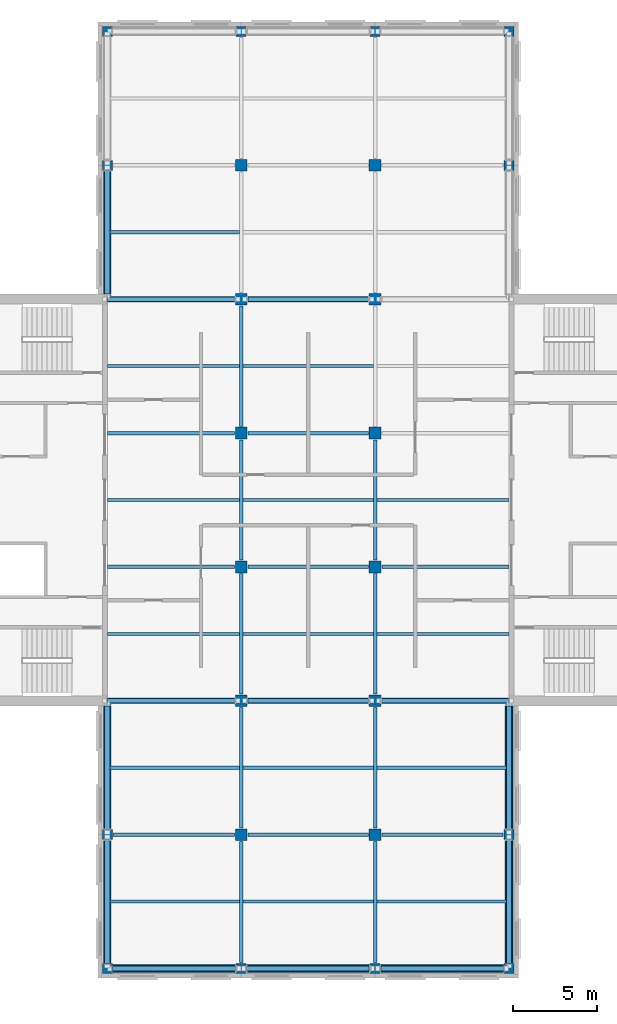
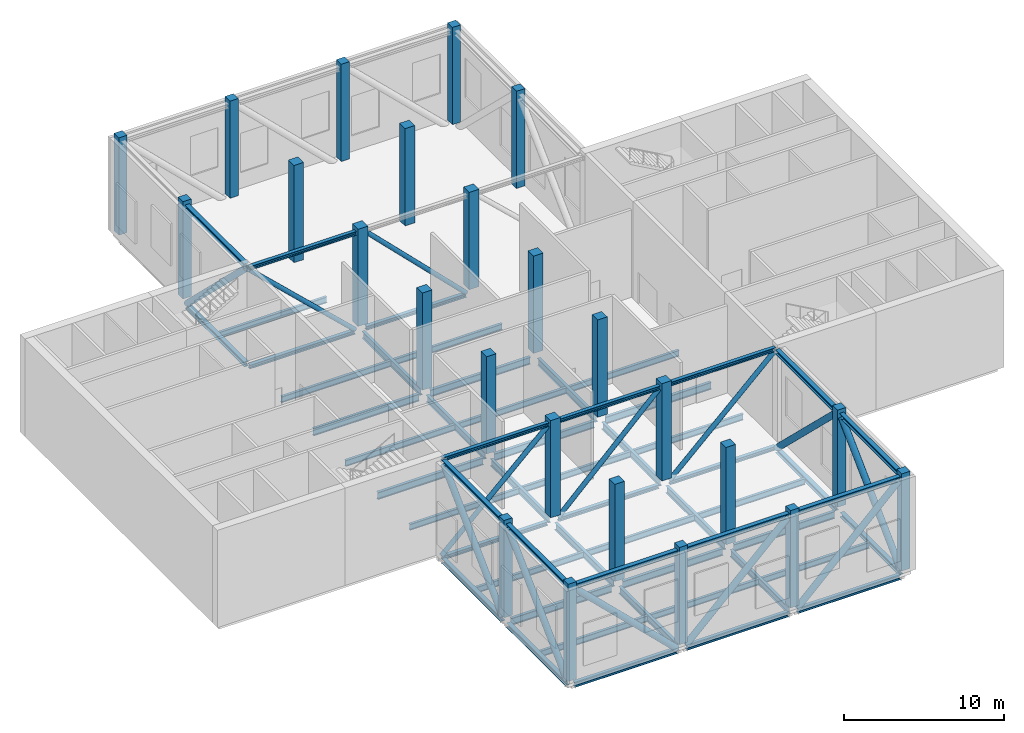
# One storey, part 1 of 10: 38 members, 32 beams, 24 columns.
"""IFC4 building model written with IfcOpenShell, lengths in metres."""

from ifc_helpers import new_model, si_unit, direction, frame, origin, origin_2d, place, context, subcontext, project, spatial, rectangle, hollow_circle, i_section, extrude, material, material_profile, profile_set, type_object, element, save


model = new_model("IFC4")

# Units and contexts
model_context = context("Model", 3, precision=1e-05, world=origin(), true_north=direction((0.0, 1.0)))
body_context = subcontext(model_context, "Body", "Model", "MODEL_VIEW")
ifc_project = project(units=[si_unit("LENGTHUNIT", "METRE"), si_unit("AREAUNIT", "SQUARE_METRE"), si_unit("VOLUMEUNIT", "CUBIC_METRE"), si_unit("PLANEANGLEUNIT", "RADIAN"), si_unit("MASSUNIT", "GRAM", prefix="KILO")], contexts=[model_context])

# Site, building, storey
site_placement = place(None, origin())
site = spatial("IfcSite", under=ifc_project, at=site_placement, CompositionType="ELEMENT")
building_placement = place(site_placement, origin())
building = spatial("IfcBuilding", under=site, at=building_placement, Name="Crosswind Convention Tower", CompositionType="ELEMENT")
storey_placement = place(building_placement, frame((0.0, 0.0, 237.699951171875)))
storey = spatial("IfcBuildingStorey", under=building, at=storey_placement, Name="L51", CompositionType="ELEMENT", Elevation=237.699951171875)

# Columns
ifc_material_1 = material(Name="Concrete C60/75", Category="concrete")
ifc_material_profile_1 = material_profile(ifc_material_1, rectangle(XDim=0.60009765625, YDim=0.60009765625, at=origin_2d()), Name="RC 600X600")
ifc_profile_set_1 = profile_set([ifc_material_profile_1], Name="Concrete C60/75")
column_type_1 = type_object("IfcColumnType", Name="Column RC 600X600", PredefinedType="COLUMN", material=ifc_profile_set_1)
for number, where, z_axis, x_axis, name in (
    (1, (113.0, 72.0, 0.0), (0.0, 0.0, 1.0), (1.0, 0.0, 0.0), "C16 L51 5/C"),
    (2, (113.0, 80.0, 0.0), (0.0, 0.0, 1.0), (1.0, 0.0, 0.0), "C16 L51 5/D"),
    (3, (113.0, 120.0, 0.0), (0.0, 0.0, 1.0), (1.0, 0.0, 0.0), "C16 L51 5/I"),
    (4, (113.0, 128.0, 0.0), (0.0, 0.0, 1.0), (1.0, 0.0, 0.0), "C16 L51 5/J"),
    (5, (121.0, 72.0, 0.0), (0.0, 0.0, 1.0), (1.0, 0.0, 0.0), "C16 L51 6/C"),
    (6, (121.0, 128.0, 0.0), (0.0, 0.0, 1.0), (1.0, 0.0, 0.0), "C16 L51 6/J"),
    (7, (129.0, 72.0, 0.0), (0.0, 0.0, 1.0), (1.0, 0.0, 0.0), "C16 L51 7/C"),
    (8, (129.0, 128.0, 0.0), (0.0, 0.0, 1.0), (1.0, 0.0, 0.0), "C16 L51 7/J"),
    (9, (137.0, 72.0, 0.0), (0.0, 0.0, 1.0), (1.0, 0.0, 0.0), "C16 L51 8/C"),
    (10, (137.0, 80.0, 0.0), (0.0, 0.0, 1.0), (1.0, 0.0, 0.0), "C16 L51 8/D"),
    (11, (137.0, 120.0, 0.0), (0.0, 0.0, 1.0), (1.0, 0.0, 0.0), "C16 L51 8/I"),
    (12, (137.0, 128.0, 0.0), (0.0, 0.0, 1.0), (1.0, 0.0, 0.0), "C16 L51 8/J"),
):
    element("IfcColumn", number, at=place(storey_placement, frame(where, z_axis=z_axis, x_axis=x_axis)), inside=storey, type_object=column_type_1, Name=name, PredefinedType="COLUMN", context=body_context, shape_type="SweptSolid", body=[
        extrude(rectangle(XDim=0.60009765625, YDim=0.60009765625, at=origin_2d()), origin(), (0.0, 0.0, 1.0), 7.400146484375),
    ])
ifc_material_profile_2 = material_profile(ifc_material_1, rectangle(XDim=0.699951171875, YDim=0.699951171875, at=origin_2d()), Name="RC 700X700")
ifc_profile_set_2 = profile_set([ifc_material_profile_2], Name="Concrete C60/75")
column_type_2 = type_object("IfcColumnType", Name="Column RC 700X700", PredefinedType="COLUMN", material=ifc_profile_set_2)
for number, where, z_axis, x_axis, name in (
    (13, (121.0, 80.0, 0.0), (0.0, 0.0, 1.0), (1.0, 0.0, 0.0), "C15 L51 6/D"),
    (14, (121.0, 88.0, 0.0), (0.0, 0.0, 1.0), (1.0, 0.0, 0.0), "C15 L51 6/E"),
    (15, (121.0, 96.0, 0.0), (0.0, 0.0, 1.0), (1.0, 0.0, 0.0), "C15 L51 6/F"),
    (16, (121.0, 104.0, 0.0), (0.0, 0.0, 1.0), (1.0, 0.0, 0.0), "C15 L51 6/G"),
    (17, (121.0, 112.0, 0.0), (0.0, 0.0, 1.0), (1.0, 0.0, 0.0), "C15 L51 6/H"),
    (18, (121.0, 120.0, 0.0), (0.0, 0.0, 1.0), (1.0, 0.0, 0.0), "C15 L51 6/I"),
    (19, (129.0, 80.0, 0.0), (0.0, 0.0, 1.0), (1.0, 0.0, 0.0), "C15 L51 7/D"),
    (20, (129.0, 88.0, 0.0), (0.0, 0.0, 1.0), (1.0, 0.0, 0.0), "C15 L51 7/E"),
    (21, (129.0, 96.0, 0.0), (0.0, 0.0, 1.0), (1.0, 0.0, 0.0), "C15 L51 7/F"),
    (22, (129.0, 104.0, 0.0), (0.0, 0.0, 1.0), (1.0, 0.0, 0.0), "C15 L51 7/G"),
    (23, (129.0, 112.0, 0.0), (0.0, 0.0, 1.0), (1.0, 0.0, 0.0), "C15 L51 7/H"),
    (24, (129.0, 120.0, 0.0), (0.0, 0.0, 1.0), (1.0, 0.0, 0.0), "C15 L51 7/I"),
):
    element("IfcColumn", number, at=place(storey_placement, frame(where, z_axis=z_axis, x_axis=x_axis)), inside=storey, type_object=column_type_2, Name=name, PredefinedType="COLUMN", context=body_context, shape_type="SweptSolid", body=[
        extrude(rectangle(XDim=0.699951171875, YDim=0.699951171875, at=origin_2d()), origin(), (0.0, 0.0, 1.0), 7.400146484375),
    ])

# Beams
ifc_material_2 = material(Name="Steel S355", Category="steel")
ifc_material_profile_3 = material_profile(ifc_material_2, i_section(OverallWidth=0.210693359375, OverallDepth=0.53955078125, WebThickness=0.01171875, FlangeThickness=0.018798828125, FilletRadius=0.0126953125, at=origin_2d()), Name="UB 533x210x109")
ifc_profile_set_3 = profile_set([ifc_material_profile_3], Name="Steel S355")
beam_type_1 = type_object("IfcBeamType", Name="Girder UB 533x210x109", PredefinedType="BEAM", material=ifc_profile_set_3)
for number, where, z_axis, x_axis, name in (
    (25, (113.35009765625, 80.0, -0.669677734375), (1.0, 0.0, 0.0), (0.0, 1.0, 0.0), "B5 L51 girder 1"),
    (26, (121.0, 72.35009765625, -0.669677734375), (0.0, 1.0, 0.0), (-1.0, 0.0, 0.0), "B5 L51 girder 3"),
):
    element("IfcBeam", number, at=place(storey_placement, frame(where, z_axis=z_axis, x_axis=x_axis)), inside=storey, type_object=beam_type_1, Name=name, PredefinedType="BEAM", context=body_context, shape_type="SweptSolid", body=[
        extrude(i_section(OverallWidth=0.210693359375, OverallDepth=0.53955078125, WebThickness=0.01171875, FlangeThickness=0.018798828125, FilletRadius=0.0126953125, at=origin_2d()), origin(), (0.0, 0.0, 1.0), 7.25),
    ])
for number, where, z_axis, x_axis, name in (
    (27, (121.0, 80.39990234375, -0.669677734375), (0.0, 1.0, 0.0), (-1.0, 0.0, 0.0), "B5 L51 girder 4"),
    (28, (121.0, 88.39990234375, -0.669677734375), (0.0, 1.0, 0.0), (-1.0, 0.0, 0.0), "B5 L51 girder 5"),
    (29, (121.0, 96.39990234375, -0.669677734375), (0.0, 1.0, 0.0), (-1.0, 0.0, 0.0), "B5 L51 girder 6"),
    (30, (121.0, 104.39990234375, -0.669677734375), (0.0, 1.0, 0.0), (-1.0, 0.0, 0.0), "B5 L51 girder 7"),
    (31, (121.39990234375, 80.0, -0.669677734375), (1.0, 0.0, 0.0), (0.0, 1.0, 0.0), "B5 L51 girder 10"),
    (32, (121.39990234375, 96.0, -0.669677734375), (1.0, 0.0, 0.0), (0.0, 1.0, 0.0), "B5 L51 girder 11"),
    (33, (121.39990234375, 104.0, -0.669677734375), (1.0, 0.0, 0.0), (0.0, 1.0, 0.0), "B5 L51 girder 12"),
):
    element("IfcBeam", number, at=place(storey_placement, frame(where, z_axis=z_axis, x_axis=x_axis)), inside=storey, type_object=beam_type_1, Name=name, PredefinedType="BEAM", context=body_context, shape_type="SweptSolid", body=[
        extrude(i_section(OverallWidth=0.210693359375, OverallDepth=0.53955078125, WebThickness=0.01171875, FlangeThickness=0.018798828125, FilletRadius=0.0126953125, at=origin_2d()), origin(), (0.0, 0.0, 1.0), 7.2001953125),
    ])
beam_1_placement = place(storey_placement, frame((129.0, 72.35009765625, -0.669677734375), z_axis=(0.0, 1.0, 0.0), x_axis=(-1.0, 0.0, 0.0)))
element("IfcBeam", 34, at=beam_1_placement, inside=storey, type_object=beam_type_1, Name="B5 L51 girder 14", PredefinedType="BEAM", context=body_context, shape_type="SweptSolid", body=[
    extrude(i_section(OverallWidth=0.210693359375, OverallDepth=0.53955078125, WebThickness=0.01171875, FlangeThickness=0.018798828125, FilletRadius=0.0126953125, at=origin_2d()), origin(), (0.0, 0.0, 1.0), 7.25),
])
for number, where, z_axis, x_axis, name in (
    (35, (129.0, 80.39990234375, -0.669677734375), (0.0, 1.0, 0.0), (-1.0, 0.0, 0.0), "B5 L51 girder 15"),
    (36, (129.0, 88.39990234375, -0.669677734375), (0.0, 1.0, 0.0), (-1.0, 0.0, 0.0), "B5 L51 girder 16"),
    (37, (129.0, 96.39990234375, -0.669677734375), (0.0, 1.0, 0.0), (-1.0, 0.0, 0.0), "B5 L51 girder 17"),
):
    element("IfcBeam", number, at=place(storey_placement, frame(where, z_axis=z_axis, x_axis=x_axis)), inside=storey, type_object=beam_type_1, Name=name, PredefinedType="BEAM", context=body_context, shape_type="SweptSolid", body=[
        extrude(i_section(OverallWidth=0.210693359375, OverallDepth=0.53955078125, WebThickness=0.01171875, FlangeThickness=0.018798828125, FilletRadius=0.0126953125, at=origin_2d()), origin(), (0.0, 0.0, 1.0), 7.2001953125),
    ])
beam_2_placement = place(storey_placement, frame((129.39990234375, 80.0, -0.669677734375), z_axis=(1.0, 0.0, 0.0), x_axis=(0.0, 1.0, 0.0)))
element("IfcBeam", 38, at=beam_2_placement, inside=storey, type_object=beam_type_1, Name="B5 L51 girder 21", PredefinedType="BEAM", context=body_context, shape_type="SweptSolid", body=[
    extrude(i_section(OverallWidth=0.210693359375, OverallDepth=0.53955078125, WebThickness=0.01171875, FlangeThickness=0.018798828125, FilletRadius=0.0126953125, at=origin_2d()), origin(), (0.0, 0.0, 1.0), 7.25),
])
ifc_material_profile_4 = material_profile(ifc_material_2, i_section(OverallWidth=0.2119140625, OverallDepth=0.544677734375, WebThickness=0.0126953125, FlangeThickness=0.021240234375, FilletRadius=0.0126953125, at=origin_2d()), Name="UB 533x210x122")
ifc_profile_set_4 = profile_set([ifc_material_profile_4], Name="Steel S355")
beam_type_2 = type_object("IfcBeamType", Name="Girder at core wall UB 533x210x122", PredefinedType="BEAM", material=ifc_profile_set_4)
for number, where, z_axis, x_axis, name in (
    (39, (113.0, 96.0, -0.67236328125), (1.0, 0.0, 0.0), (0.0, 1.0, 0.0), "B26 L51 girder at core wall 1"),
    (40, (113.0, 104.0, -0.67236328125), (1.0, 0.0, 0.0), (0.0, 1.0, 0.0), "B26 L51 girder at core wall 2"),
    (41, (129.39990234375, 96.0, -0.67236328125), (1.0, 0.0, 0.0), (0.0, 1.0, 0.0), "B26 L51 girder at core wall 3"),
):
    element("IfcBeam", number, at=place(storey_placement, frame(where, z_axis=z_axis, x_axis=x_axis)), inside=storey, type_object=beam_type_2, Name=name, PredefinedType="BEAM", context=body_context, shape_type="SweptSolid", body=[
        extrude(i_section(OverallWidth=0.2119140625, OverallDepth=0.544677734375, WebThickness=0.0126953125, FlangeThickness=0.021240234375, FilletRadius=0.0126953125, at=origin_2d()), origin(), (0.0, 0.0, 1.0), 7.60009765625),
    ])
ifc_material_profile_5 = material_profile(ifc_material_2, i_section(OverallWidth=0.1904296875, OverallDepth=0.457275390625, WebThickness=0.009033203125, FlangeThickness=0.014404296875, FilletRadius=0.01025390625, at=origin_2d()), Name="UB 457x191x75")
ifc_profile_set_5 = profile_set([ifc_material_profile_5], Name="Steel S355")
beam_type_3 = type_object("IfcBeamType", Name="Secondary beam UB 457x191x75", PredefinedType="JOIST", material=ifc_profile_set_5)
for number, where, z_axis, x_axis, name in (
    (42, (113.0, 92.0, -0.628662109375), (1.0, 0.0, 0.0), (0.0, 1.0, 0.0), "B12 L51 secondary beam 1"),
    (43, (113.0, 100.0, -0.628662109375), (1.0, 0.0, 0.0), (0.0, 1.0, 0.0), "B12 L51 secondary beam 2"),
    (44, (113.0, 108.0, -0.628662109375), (1.0, 0.0, 0.0), (0.0, 1.0, 0.0), "B12 L51 secondary beam 3"),
):
    element("IfcBeam", number, at=place(storey_placement, frame(where, z_axis=z_axis, x_axis=x_axis)), inside=storey, type_object=beam_type_3, Name=name, PredefinedType="JOIST", context=body_context, shape_type="SweptSolid", body=[
        extrude(i_section(OverallWidth=0.1904296875, OverallDepth=0.457275390625, WebThickness=0.009033203125, FlangeThickness=0.014404296875, FilletRadius=0.01025390625, at=origin_2d()), origin(), (0.0, 0.0, 1.0), 7.89453125),
    ])
for number, where, z_axis, x_axis, name in (
    (45, (113.156982421875, 76.0, -0.628662109375), (1.0, 0.0, 0.0), (0.0, 1.0, 0.0), "B12 L51 secondary beam 4"),
    (46, (113.156982421875, 84.0, -0.628662109375), (1.0, 0.0, 0.0), (0.0, 1.0, 0.0), "B12 L51 secondary beam 5"),
    (47, (113.156982421875, 116.0, -0.628662109375), (1.0, 0.0, 0.0), (0.0, 1.0, 0.0), "B12 L51 secondary beam 6"),
):
    element("IfcBeam", number, at=place(storey_placement, frame(where, z_axis=z_axis, x_axis=x_axis)), inside=storey, type_object=beam_type_3, Name=name, PredefinedType="JOIST", context=body_context, shape_type="SweptSolid", body=[
        extrude(i_section(OverallWidth=0.1904296875, OverallDepth=0.457275390625, WebThickness=0.009033203125, FlangeThickness=0.014404296875, FilletRadius=0.01025390625, at=origin_2d()), origin(), (0.0, 0.0, 1.0), 7.737548828125),
    ])
for number, where, z_axis, x_axis, name in (
    (48, (121.10546875, 76.0, -0.628662109375), (1.0, 0.0, 0.0), (0.0, 1.0, 0.0), "B12 L51 secondary beam 8"),
    (49, (121.10546875, 84.0, -0.628662109375), (1.0, 0.0, 0.0), (0.0, 1.0, 0.0), "B12 L51 secondary beam 9"),
    (50, (121.10546875, 92.0, -0.628662109375), (1.0, 0.0, 0.0), (0.0, 1.0, 0.0), "B12 L51 secondary beam 10"),
    (51, (121.10546875, 100.0, -0.628662109375), (1.0, 0.0, 0.0), (0.0, 1.0, 0.0), "B12 L51 secondary beam 11"),
    (52, (121.10546875, 108.0, -0.628662109375), (1.0, 0.0, 0.0), (0.0, 1.0, 0.0), "B12 L51 secondary beam 12"),
):
    element("IfcBeam", number, at=place(storey_placement, frame(where, z_axis=z_axis, x_axis=x_axis)), inside=storey, type_object=beam_type_3, Name=name, PredefinedType="JOIST", context=body_context, shape_type="SweptSolid", body=[
        extrude(i_section(OverallWidth=0.1904296875, OverallDepth=0.457275390625, WebThickness=0.009033203125, FlangeThickness=0.014404296875, FilletRadius=0.01025390625, at=origin_2d()), origin(), (0.0, 0.0, 1.0), 7.7890625),
    ])
for number, where, z_axis, x_axis, name in (
    (53, (129.10546875, 76.0, -0.628662109375), (1.0, 0.0, 0.0), (0.0, 1.0, 0.0), "B12 L51 secondary beam 15"),
    (54, (129.10546875, 84.0, -0.628662109375), (1.0, 0.0, 0.0), (0.0, 1.0, 0.0), "B12 L51 secondary beam 16"),
):
    element("IfcBeam", number, at=place(storey_placement, frame(where, z_axis=z_axis, x_axis=x_axis)), inside=storey, type_object=beam_type_3, Name=name, PredefinedType="JOIST", context=body_context, shape_type="SweptSolid", body=[
        extrude(i_section(OverallWidth=0.1904296875, OverallDepth=0.457275390625, WebThickness=0.009033203125, FlangeThickness=0.014404296875, FilletRadius=0.01025390625, at=origin_2d()), origin(), (0.0, 0.0, 1.0), 7.737548828125),
    ])
for number, where, z_axis, x_axis, name in (
    (55, (129.10546875, 92.0, -0.628662109375), (1.0, 0.0, 0.0), (0.0, 1.0, 0.0), "B12 L51 secondary beam 17"),
    (56, (129.10546875, 100.0, -0.628662109375), (1.0, 0.0, 0.0), (0.0, 1.0, 0.0), "B12 L51 secondary beam 18"),
):
    element("IfcBeam", number, at=place(storey_placement, frame(where, z_axis=z_axis, x_axis=x_axis)), inside=storey, type_object=beam_type_3, Name=name, PredefinedType="JOIST", context=body_context, shape_type="SweptSolid", body=[
        extrude(i_section(OverallWidth=0.1904296875, OverallDepth=0.457275390625, WebThickness=0.009033203125, FlangeThickness=0.014404296875, FilletRadius=0.01025390625, at=origin_2d()), origin(), (0.0, 0.0, 1.0), 7.89453125),
    ])

# Members
ifc_material_profile_6 = material_profile(ifc_material_2, i_section(OverallWidth=0.264404296875, OverallDepth=0.2890625, WebThickness=0.019287109375, FlangeThickness=0.03173828125, FilletRadius=0.0126953125, at=origin_2d()), Name="UC 254x254x167")
ifc_profile_set_6 = profile_set([ifc_material_profile_6], Name="Steel S355")
member_type_1 = type_object("IfcMemberType", Name="Truss chord UC 254x254x167", PredefinedType="CHORD", material=ifc_profile_set_6)
member_1_placement = place(storey_placement, frame((113.0, 88.0, -0.54443359375), z_axis=(1.0, 0.0, 0.0), x_axis=(0.0, 1.0, 0.0)))
element("IfcMember", 57, at=member_1_placement, inside=storey, type_object=member_type_1, Name="M3 L51 bottom chord 15", PredefinedType="CHORD", context=body_context, shape_type="SweptSolid", body=[
    extrude(i_section(OverallWidth=0.264404296875, OverallDepth=0.2890625, WebThickness=0.019287109375, FlangeThickness=0.03173828125, FilletRadius=0.0126953125, at=origin_2d()), origin(), (0.0, 0.0, 1.0), 7.60009765625),
])
member_2_placement = place(storey_placement, frame((113.0, 88.0, 6.95556640625), z_axis=(1.0, 0.0, 0.0), x_axis=(0.0, 1.0, 0.0)))
element("IfcMember", 58, at=member_2_placement, inside=storey, type_object=member_type_1, Name="M3 L51 top chord 15", PredefinedType="CHORD", context=body_context, shape_type="SweptSolid", body=[
    extrude(i_section(OverallWidth=0.264404296875, OverallDepth=0.2890625, WebThickness=0.019287109375, FlangeThickness=0.03173828125, FilletRadius=0.0126953125, at=origin_2d()), origin(), (0.0, 0.0, 1.0), 7.64990234375),
])
member_3_placement = place(storey_placement, frame((113.0, 112.0, -0.54443359375), z_axis=(1.0, 0.0, 0.0), x_axis=(0.0, 1.0, 0.0)))
element("IfcMember", 59, at=member_3_placement, inside=storey, type_object=member_type_1, Name="M3 L51 bottom chord 16", PredefinedType="CHORD", context=body_context, shape_type="SweptSolid", body=[
    extrude(i_section(OverallWidth=0.264404296875, OverallDepth=0.2890625, WebThickness=0.019287109375, FlangeThickness=0.03173828125, FilletRadius=0.0126953125, at=origin_2d()), origin(), (0.0, 0.0, 1.0), 7.60009765625),
])
member_4_placement = place(storey_placement, frame((113.0, 112.0, 6.95556640625), z_axis=(1.0, 0.0, 0.0), x_axis=(0.0, 1.0, 0.0)))
element("IfcMember", 60, at=member_4_placement, inside=storey, type_object=member_type_1, Name="M3 L51 top chord 16", PredefinedType="CHORD", context=body_context, shape_type="SweptSolid", body=[
    extrude(i_section(OverallWidth=0.264404296875, OverallDepth=0.2890625, WebThickness=0.019287109375, FlangeThickness=0.03173828125, FilletRadius=0.0126953125, at=origin_2d()), origin(), (0.0, 0.0, 1.0), 7.64990234375),
])
member_5_placement = place(storey_placement, frame((121.39990234375, 88.0, -0.54443359375), z_axis=(1.0, 0.0, 0.0), x_axis=(0.0, 1.0, 0.0)))
element("IfcMember", 61, at=member_5_placement, inside=storey, type_object=member_type_1, Name="M3 L51 bottom chord 17", PredefinedType="CHORD", context=body_context, shape_type="SweptSolid", body=[
    extrude(i_section(OverallWidth=0.264404296875, OverallDepth=0.2890625, WebThickness=0.019287109375, FlangeThickness=0.03173828125, FilletRadius=0.0126953125, at=origin_2d()), origin(), (0.0, 0.0, 1.0), 7.2001953125),
])
member_6_placement = place(storey_placement, frame((121.35009765625, 88.0, 6.95556640625), z_axis=(1.0, 0.0, 0.0), x_axis=(0.0, 1.0, 0.0)))
element("IfcMember", 62, at=member_6_placement, inside=storey, type_object=member_type_1, Name="M3 L51 top chord 17", PredefinedType="CHORD", context=body_context, shape_type="SweptSolid", body=[
    extrude(i_section(OverallWidth=0.264404296875, OverallDepth=0.2890625, WebThickness=0.019287109375, FlangeThickness=0.03173828125, FilletRadius=0.0126953125, at=origin_2d()), origin(), (0.0, 0.0, 1.0), 7.2998046875),
])
member_7_placement = place(storey_placement, frame((121.39990234375, 112.0, -0.54443359375), z_axis=(1.0, 0.0, 0.0), x_axis=(0.0, 1.0, 0.0)))
element("IfcMember", 63, at=member_7_placement, inside=storey, type_object=member_type_1, Name="M3 L51 bottom chord 18", PredefinedType="CHORD", context=body_context, shape_type="SweptSolid", body=[
    extrude(i_section(OverallWidth=0.264404296875, OverallDepth=0.2890625, WebThickness=0.019287109375, FlangeThickness=0.03173828125, FilletRadius=0.0126953125, at=origin_2d()), origin(), (0.0, 0.0, 1.0), 7.2001953125),
])
member_8_placement = place(storey_placement, frame((129.39990234375, 88.0, -0.54443359375), z_axis=(1.0, 0.0, 0.0), x_axis=(0.0, 1.0, 0.0)))
element("IfcMember", 64, at=member_8_placement, inside=storey, type_object=member_type_1, Name="M3 L51 bottom chord 19", PredefinedType="CHORD", context=body_context, shape_type="SweptSolid", body=[
    extrude(i_section(OverallWidth=0.264404296875, OverallDepth=0.2890625, WebThickness=0.019287109375, FlangeThickness=0.03173828125, FilletRadius=0.0126953125, at=origin_2d()), origin(), (0.0, 0.0, 1.0), 7.60009765625),
])
member_9_placement = place(storey_placement, frame((129.35009765625, 88.0, 6.95556640625), z_axis=(1.0, 0.0, 0.0), x_axis=(0.0, 1.0, 0.0)))
element("IfcMember", 65, at=member_9_placement, inside=storey, type_object=member_type_1, Name="M3 L51 top chord 19", PredefinedType="CHORD", context=body_context, shape_type="SweptSolid", body=[
    extrude(i_section(OverallWidth=0.264404296875, OverallDepth=0.2890625, WebThickness=0.019287109375, FlangeThickness=0.03173828125, FilletRadius=0.0126953125, at=origin_2d()), origin(), (0.0, 0.0, 1.0), 7.64990234375),
])
ifc_material_profile_7 = material_profile(ifc_material_2, i_section(OverallWidth=0.314208984375, OverallDepth=0.33984375, WebThickness=0.019287109375, FlangeThickness=0.031494140625, FilletRadius=0.01513671875, at=origin_2d()), Name="UC 305x305x198")
ifc_profile_set_7 = profile_set([ifc_material_profile_7], Name="Steel S355")
member_type_2 = type_object("IfcMemberType", Name="Truss chord UC 305x305x198", PredefinedType="CHORD", material=ifc_profile_set_7)
member_10_placement = place(storey_placement, frame((113.0, 72.300048828125, -0.56982421875), z_axis=(0.0, 1.0, 0.0), x_axis=(-1.0, 0.0, 0.0)))
element("IfcMember", 66, at=member_10_placement, inside=storey, type_object=member_type_2, Name="M1 L51 bottom chord 1", PredefinedType="CHORD", context=body_context, shape_type="SweptSolid", body=[
    extrude(i_section(OverallWidth=0.314208984375, OverallDepth=0.33984375, WebThickness=0.019287109375, FlangeThickness=0.031494140625, FilletRadius=0.01513671875, at=origin_2d()), origin(), (0.0, 0.0, 1.0), 7.349853515625),
])
member_11_placement = place(storey_placement, frame((113.0, 72.300048828125, 6.93017578125), z_axis=(0.0, 1.0, 0.0), x_axis=(-1.0, 0.0, 0.0)))
element("IfcMember", 67, at=member_11_placement, inside=storey, type_object=member_type_2, Name="M1 L51 top chord 1", PredefinedType="CHORD", context=body_context, shape_type="SweptSolid", body=[
    extrude(i_section(OverallWidth=0.314208984375, OverallDepth=0.33984375, WebThickness=0.019287109375, FlangeThickness=0.031494140625, FilletRadius=0.01513671875, at=origin_2d()), origin(), (0.0, 0.0, 1.0), 7.39990234375),
])
member_12_placement = place(storey_placement, frame((113.300048828125, 72.0, -0.56982421875), z_axis=(1.0, 0.0, 0.0), x_axis=(0.0, 1.0, 0.0)))
element("IfcMember", 68, at=member_12_placement, inside=storey, type_object=member_type_2, Name="M1 L51 bottom chord 2", PredefinedType="CHORD", context=body_context, shape_type="SweptSolid", body=[
    extrude(i_section(OverallWidth=0.314208984375, OverallDepth=0.33984375, WebThickness=0.019287109375, FlangeThickness=0.031494140625, FilletRadius=0.01513671875, at=origin_2d()), origin(), (0.0, 0.0, 1.0), 7.349853515625),
])
member_13_placement = place(storey_placement, frame((113.300048828125, 72.0, 6.93017578125), z_axis=(1.0, 0.0, 0.0), x_axis=(0.0, 1.0, 0.0)))
element("IfcMember", 69, at=member_13_placement, inside=storey, type_object=member_type_2, Name="M1 L51 top chord 2", PredefinedType="CHORD", context=body_context, shape_type="SweptSolid", body=[
    extrude(i_section(OverallWidth=0.314208984375, OverallDepth=0.33984375, WebThickness=0.019287109375, FlangeThickness=0.031494140625, FilletRadius=0.01513671875, at=origin_2d()), origin(), (0.0, 0.0, 1.0), 7.39990234375),
])
member_14_placement = place(storey_placement, frame((113.0, 80.35009765625, -0.56982421875), z_axis=(0.0, 1.0, 0.0), x_axis=(-1.0, 0.0, 0.0)))
element("IfcMember", 70, at=member_14_placement, inside=storey, type_object=member_type_2, Name="M1 L51 bottom chord 3", PredefinedType="CHORD", context=body_context, shape_type="SweptSolid", body=[
    extrude(i_section(OverallWidth=0.314208984375, OverallDepth=0.33984375, WebThickness=0.019287109375, FlangeThickness=0.031494140625, FilletRadius=0.01513671875, at=origin_2d()), origin(), (0.0, 0.0, 1.0), 7.349853515625),
])
member_15_placement = place(storey_placement, frame((113.0, 80.300048828125, 6.93017578125), z_axis=(0.0, 1.0, 0.0), x_axis=(-1.0, 0.0, 0.0)))
element("IfcMember", 71, at=member_15_placement, inside=storey, type_object=member_type_2, Name="M1 L51 top chord 3", PredefinedType="CHORD", context=body_context, shape_type="SweptSolid", body=[
    extrude(i_section(OverallWidth=0.314208984375, OverallDepth=0.33984375, WebThickness=0.019287109375, FlangeThickness=0.031494140625, FilletRadius=0.01513671875, at=origin_2d()), origin(), (0.0, 0.0, 1.0), 7.39990234375),
])
member_16_placement = place(storey_placement, frame((113.0, 112.300048828125, -0.56982421875), z_axis=(0.0, 1.0, 0.0), x_axis=(-1.0, 0.0, 0.0)))
element("IfcMember", 72, at=member_16_placement, inside=storey, type_object=member_type_2, Name="M1 L51 bottom chord 4", PredefinedType="CHORD", context=body_context, shape_type="SweptSolid", body=[
    extrude(i_section(OverallWidth=0.314208984375, OverallDepth=0.33984375, WebThickness=0.019287109375, FlangeThickness=0.031494140625, FilletRadius=0.01513671875, at=origin_2d()), origin(), (0.0, 0.0, 1.0), 7.349853515625),
])
member_17_placement = place(storey_placement, frame((113.0, 112.300048828125, 6.93017578125), z_axis=(0.0, 1.0, 0.0), x_axis=(-1.0, 0.0, 0.0)))
element("IfcMember", 73, at=member_17_placement, inside=storey, type_object=member_type_2, Name="M1 L51 top chord 4", PredefinedType="CHORD", context=body_context, shape_type="SweptSolid", body=[
    extrude(i_section(OverallWidth=0.314208984375, OverallDepth=0.33984375, WebThickness=0.019287109375, FlangeThickness=0.031494140625, FilletRadius=0.01513671875, at=origin_2d()), origin(), (0.0, 0.0, 1.0), 7.39990234375),
])
member_18_placement = place(storey_placement, frame((121.35009765625, 72.0, -0.56982421875), z_axis=(1.0, 0.0, 0.0), x_axis=(0.0, 1.0, 0.0)))
element("IfcMember", 74, at=member_18_placement, inside=storey, type_object=member_type_2, Name="M1 L51 bottom chord 7", PredefinedType="CHORD", context=body_context, shape_type="SweptSolid", body=[
    extrude(i_section(OverallWidth=0.314208984375, OverallDepth=0.33984375, WebThickness=0.019287109375, FlangeThickness=0.031494140625, FilletRadius=0.01513671875, at=origin_2d()), origin(), (0.0, 0.0, 1.0), 7.2998046875),
])
member_19_placement = place(storey_placement, frame((121.300048828125, 72.0, 6.93017578125), z_axis=(1.0, 0.0, 0.0), x_axis=(0.0, 1.0, 0.0)))
element("IfcMember", 75, at=member_19_placement, inside=storey, type_object=member_type_2, Name="M1 L51 top chord 7", PredefinedType="CHORD", context=body_context, shape_type="SweptSolid", body=[
    extrude(i_section(OverallWidth=0.314208984375, OverallDepth=0.33984375, WebThickness=0.019287109375, FlangeThickness=0.031494140625, FilletRadius=0.01513671875, at=origin_2d()), origin(), (0.0, 0.0, 1.0), 7.39990234375),
])
member_20_placement = place(storey_placement, frame((129.35009765625, 72.0, -0.56982421875), z_axis=(1.0, 0.0, 0.0), x_axis=(0.0, 1.0, 0.0)))
element("IfcMember", 76, at=member_20_placement, inside=storey, type_object=member_type_2, Name="M1 L51 bottom chord 9", PredefinedType="CHORD", context=body_context, shape_type="SweptSolid", body=[
    extrude(i_section(OverallWidth=0.314208984375, OverallDepth=0.33984375, WebThickness=0.019287109375, FlangeThickness=0.031494140625, FilletRadius=0.01513671875, at=origin_2d()), origin(), (0.0, 0.0, 1.0), 7.349853515625),
])
member_21_placement = place(storey_placement, frame((129.300048828125, 72.0, 6.93017578125), z_axis=(1.0, 0.0, 0.0), x_axis=(0.0, 1.0, 0.0)))
element("IfcMember", 77, at=member_21_placement, inside=storey, type_object=member_type_2, Name="M1 L51 top chord 9", PredefinedType="CHORD", context=body_context, shape_type="SweptSolid", body=[
    extrude(i_section(OverallWidth=0.314208984375, OverallDepth=0.33984375, WebThickness=0.019287109375, FlangeThickness=0.031494140625, FilletRadius=0.01513671875, at=origin_2d()), origin(), (0.0, 0.0, 1.0), 7.39990234375),
])
member_22_placement = place(storey_placement, frame((137.0, 72.300048828125, -0.56982421875), z_axis=(0.0, 1.0, 0.0), x_axis=(-1.0, 0.0, 0.0)))
element("IfcMember", 78, at=member_22_placement, inside=storey, type_object=member_type_2, Name="M1 L51 bottom chord 11", PredefinedType="CHORD", context=body_context, shape_type="SweptSolid", body=[
    extrude(i_section(OverallWidth=0.314208984375, OverallDepth=0.33984375, WebThickness=0.019287109375, FlangeThickness=0.031494140625, FilletRadius=0.01513671875, at=origin_2d()), origin(), (0.0, 0.0, 1.0), 7.349853515625),
])
member_23_placement = place(storey_placement, frame((137.0, 72.300048828125, 6.93017578125), z_axis=(0.0, 1.0, 0.0), x_axis=(-1.0, 0.0, 0.0)))
element("IfcMember", 79, at=member_23_placement, inside=storey, type_object=member_type_2, Name="M1 L51 top chord 11", PredefinedType="CHORD", context=body_context, shape_type="SweptSolid", body=[
    extrude(i_section(OverallWidth=0.314208984375, OverallDepth=0.33984375, WebThickness=0.019287109375, FlangeThickness=0.031494140625, FilletRadius=0.01513671875, at=origin_2d()), origin(), (0.0, 0.0, 1.0), 7.39990234375),
])
member_24_placement = place(storey_placement, frame((137.0, 80.35009765625, -0.56982421875), z_axis=(0.0, 1.0, 0.0), x_axis=(-1.0, 0.0, 0.0)))
element("IfcMember", 80, at=member_24_placement, inside=storey, type_object=member_type_2, Name="M1 L51 bottom chord 12", PredefinedType="CHORD", context=body_context, shape_type="SweptSolid", body=[
    extrude(i_section(OverallWidth=0.314208984375, OverallDepth=0.33984375, WebThickness=0.019287109375, FlangeThickness=0.031494140625, FilletRadius=0.01513671875, at=origin_2d()), origin(), (0.0, 0.0, 1.0), 7.349853515625),
])
member_25_placement = place(storey_placement, frame((137.0, 80.300048828125, 6.93017578125), z_axis=(0.0, 1.0, 0.0), x_axis=(-1.0, 0.0, 0.0)))
element("IfcMember", 81, at=member_25_placement, inside=storey, type_object=member_type_2, Name="M1 L51 top chord 12", PredefinedType="CHORD", context=body_context, shape_type="SweptSolid", body=[
    extrude(i_section(OverallWidth=0.314208984375, OverallDepth=0.33984375, WebThickness=0.019287109375, FlangeThickness=0.031494140625, FilletRadius=0.01513671875, at=origin_2d()), origin(), (0.0, 0.0, 1.0), 7.39990234375),
])
ifc_material_profile_8 = material_profile(ifc_material_2, hollow_circle(Radius=0.161865234375, WallThickness=0.011962890625, at=origin_2d()), Name="CHS 323.9x12.0")
ifc_profile_set_8 = profile_set([ifc_material_profile_8], Name="Steel S355")
member_type_3 = type_object("IfcMemberType", Name="Truss diagonal CHS 323.9x12.0", PredefinedType="BRACE", material=ifc_profile_set_8)
member_26_placement = place(storey_placement, frame((113.0, 88.0, -0.39990234375), z_axis=(0.727676171283, 0.0, 0.68592083344), x_axis=(0.0, 1.0, 0.0)))
element("IfcMember", 82, at=member_26_placement, inside=storey, type_object=member_type_3, Name="M6 L51 diagonal 15", PredefinedType="BRACE", context=body_context, shape_type="SweptSolid", body=[
    extrude(hollow_circle(Radius=0.161865234375, WallThickness=0.011962890625, at=origin_2d()), origin(), (0.0, 0.0, 1.0), 10.5126953125),
])
member_27_placement = place(storey_placement, frame((113.0, 112.0, 6.81103515625), z_axis=(0.725435653161, 0.0, -0.688289992026), x_axis=(0.0, 1.0, 0.0)))
element("IfcMember", 83, at=member_27_placement, inside=storey, type_object=member_type_3, Name="M6 L51 diagonal 16", PredefinedType="BRACE", context=body_context, shape_type="SweptSolid", body=[
    extrude(hollow_circle(Radius=0.161865234375, WallThickness=0.011962890625, at=origin_2d()), origin(), (0.0, 0.0, 1.0), 10.4765625),
])
for number, where, z_axis, x_axis, name in (
    (84, (121.39990234375, 88.0, -0.39990234375), (0.709014261395, 0.0, 0.705194141452), (0.0, 1.0, 0.0), "M6 L51 diagonal 17"),
    (85, (121.35009765625, 112.0, 6.81103515625), (0.709014261395, 0.0, -0.705194141452), (0.0, 1.0, 0.0), "M6 L51 diagonal 18"),
):
    element("IfcMember", number, at=place(storey_placement, frame(where, z_axis=z_axis, x_axis=x_axis)), inside=storey, type_object=member_type_3, Name=name, PredefinedType="BRACE", context=body_context, shape_type="SweptSolid", body=[
        extrude(hollow_circle(Radius=0.161865234375, WallThickness=0.011962890625, at=origin_2d()), origin(), (0.0, 0.0, 1.0), 10.2255859375),
    ])
member_28_placement = place(storey_placement, frame((129.39990234375, 88.0, -0.39990234375), z_axis=(0.725435653161, 0.0, 0.688289992026), x_axis=(0.0, 1.0, 0.0)))
element("IfcMember", 86, at=member_28_placement, inside=storey, type_object=member_type_3, Name="M6 L51 diagonal 19", PredefinedType="BRACE", context=body_context, shape_type="SweptSolid", body=[
    extrude(hollow_circle(Radius=0.161865234375, WallThickness=0.011962890625, at=origin_2d()), origin(), (0.0, 0.0, 1.0), 10.4765625),
])
ifc_material_profile_9 = material_profile(ifc_material_2, hollow_circle(Radius=0.228515625, WallThickness=0.011962890625, at=origin_2d()), Name="CHS 457.0x12.0")
ifc_profile_set_9 = profile_set([ifc_material_profile_9], Name="Steel S355")
member_type_4 = type_object("IfcMemberType", Name="Truss diagonal CHS 457.0x12.0", PredefinedType="BRACE", material=ifc_profile_set_9)
member_29_placement = place(storey_placement, frame((113.0, 72.300048828125, -0.39990234375), z_axis=(0.0, 0.71865259228, 0.695369291534), x_axis=(-1.0, 0.0, 0.0)))
element("IfcMember", 87, at=member_29_placement, inside=storey, type_object=member_type_4, Name="M5 L51 diagonal 1", PredefinedType="BRACE", context=body_context, shape_type="SweptSolid", body=[
    extrude(hollow_circle(Radius=0.228515625, WallThickness=0.011962890625, at=origin_2d()), origin(), (0.0, 0.0, 1.0), 10.296875),
])
for number, where, z_axis, x_axis, name in (
    (88, (113.300048828125, 72.0, 6.76025390625), (0.716289962853, 0.0, -0.697802758032), (0.0, 1.0, 0.0), "M5 L51 diagonal 2"),
    (89, (113.0, 80.35009765625, -0.39990234375), (0.0, 0.716289962853, 0.697802758032), (-1.0, 0.0, 0.0), "M5 L51 diagonal 3"),
    (90, (113.0, 112.300048828125, 6.76025390625), (0.0, 0.716289962853, -0.697802758032), (-1.0, 0.0, 0.0), "M5 L51 diagonal 4"),
    (91, (121.35009765625, 72.0, -0.39990234375), (0.716289962853, 0.0, 0.697802758032), (0.0, 1.0, 0.0), "M5 L51 diagonal 7"),
    (92, (129.35009765625, 72.0, -0.39990234375), (0.716289962853, 0.0, 0.697802758032), (0.0, 1.0, 0.0), "M5 L51 diagonal 9"),
):
    element("IfcMember", number, at=place(storey_placement, frame(where, z_axis=z_axis, x_axis=x_axis)), inside=storey, type_object=member_type_4, Name=name, PredefinedType="BRACE", context=body_context, shape_type="SweptSolid", body=[
        extrude(hollow_circle(Radius=0.228515625, WallThickness=0.011962890625, at=origin_2d()), origin(), (0.0, 0.0, 1.0), 10.260986328125),
    ])
for number, where, z_axis, x_axis, name in (
    (93, (137.0, 72.300048828125, -0.39990234375), (0.0, 0.71865259228, 0.695369291534), (-1.0, 0.0, 0.0), "M5 L51 diagonal 11"),
    (94, (137.0, 80.300048828125, 6.76025390625), (0.0, 0.71865259228, -0.695369291534), (-1.0, 0.0, 0.0), "M5 L51 diagonal 12"),
):
    element("IfcMember", number, at=place(storey_placement, frame(where, z_axis=z_axis, x_axis=x_axis)), inside=storey, type_object=member_type_4, Name=name, PredefinedType="BRACE", context=body_context, shape_type="SweptSolid", body=[
        extrude(hollow_circle(Radius=0.228515625, WallThickness=0.011962890625, at=origin_2d()), origin(), (0.0, 0.0, 1.0), 10.296875),
    ])

save(model, "model.ifc")
